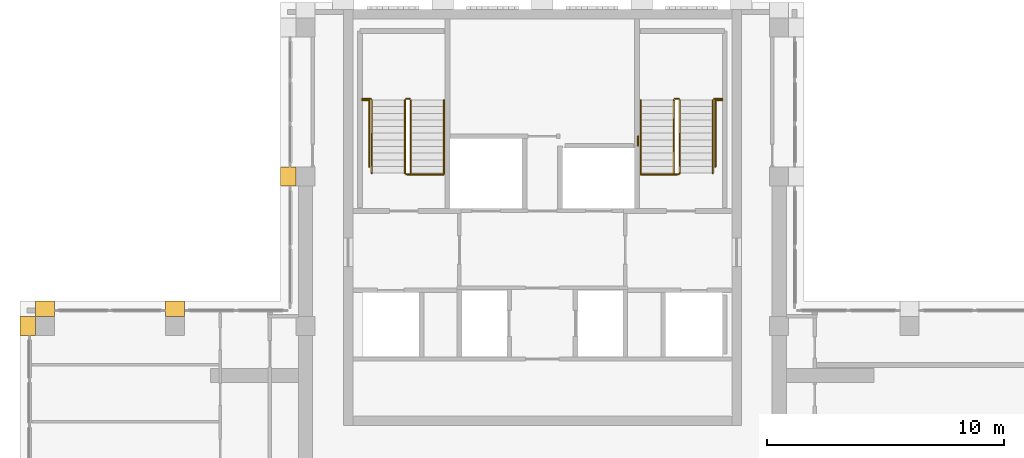
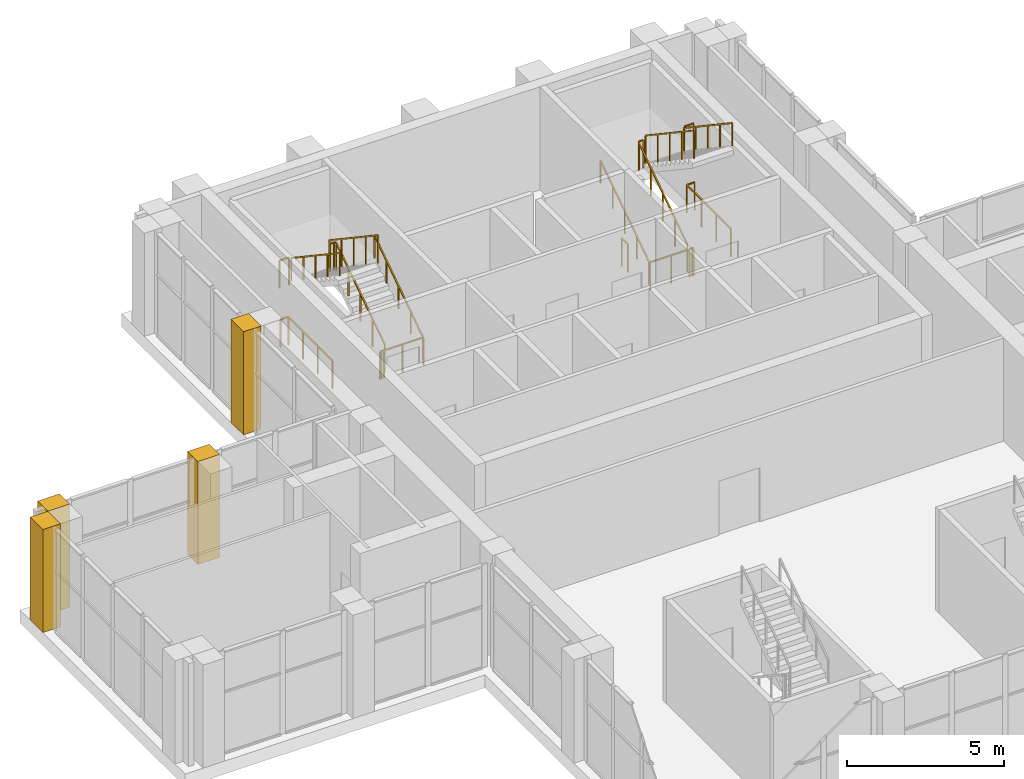
# One storey, part 14 of 15: 17 railings, 4 coverings.
"""IFC4 building model written with IfcOpenShell, lengths in metres."""

from ifc_helpers import new_model, si_unit, direction, frame, origin, origin_2d, place, context, subcontext, project, spatial, polyline, rectangle, outline, extrude, material, type_object, element, save


model = new_model("IFC4")

# Units and contexts
model_context = context("Model", 3, precision=1e-05, world=origin(), true_north=direction((0.0, 1.0)))
body_context = subcontext(model_context, "Body", "Model", "MODEL_VIEW")
ifc_project = project(units=[si_unit("LENGTHUNIT", "METRE"), si_unit("AREAUNIT", "SQUARE_METRE"), si_unit("VOLUMEUNIT", "CUBIC_METRE"), si_unit("PLANEANGLEUNIT", "RADIAN"), si_unit("MASSUNIT", "GRAM", prefix="KILO")], contexts=[model_context])

# Site, building, storey
site_placement = place(None, origin())
site = spatial("IfcSite", under=ifc_project, at=site_placement, CompositionType="ELEMENT")
building_placement = place(site_placement, origin())
building = spatial("IfcBuilding", under=site, at=building_placement, Name="Vermilion Ogive Tower", CompositionType="ELEMENT")
storey_placement = place(building_placement, frame((0.0, 0.0, 293.85009765625)))
storey = spatial("IfcBuildingStorey", under=building, at=storey_placement, Name="L76", CompositionType="ELEMENT", Elevation=293.85009765625)

# Railings
ifc_material_1 = material(Name="Steel S355 painted", Category="steel")
railing_type_1 = type_object("IfcRailingType", Name="Stair guard 1100", PredefinedType="GUARDRAIL", material=ifc_material_1)
railing_1_placement = place(storey_placement, frame((-5.550048828125, 14.85009765625, 0.1875)))
element("IfcRailing", 1, at=railing_1_placement, inside=storey, type_object=railing_type_1, Name="L76 ST1 stair guard 1", PredefinedType="GUARDRAIL", context=body_context, shape_type="SweptSolid", body=[
    extrude(rectangle(XDim=0.048095703125, YDim=0.048095703125, at=origin_2d()), frame((0.0, 0.0, 1.076171875), z_axis=(0.0, 0.830893310487, 0.556431762742), x_axis=(-1.0, 0.0, 0.0)), (0.0, 0.0, 1.0), 3.70654296875),
    extrude(rectangle(XDim=0.048095703125, YDim=0.048095703125, at=origin_2d()), frame((0.0, 3.079833984375, 3.138671875), z_axis=(-0.707106781187, 0.707106781187, 0.0), x_axis=(-0.707106781187, -0.707106781187, 0.0)), (0.0, 0.0, 1.0), 0.07080078125),
    extrude(rectangle(XDim=0.048095703125, YDim=0.048095703125, at=origin_2d()), frame((-0.050048828125, 3.1298828125, 3.138671875), z_axis=(-1.0, 0.0, 0.0), x_axis=(0.0, -1.0, 0.0)), (0.0, 0.0, 1.0), 0.14990234375),
    extrude(rectangle(XDim=0.0419921875, YDim=0.0419921875, at=origin_2d()), origin(), (0.0, 0.0, 1.0), 1.052001953125),
    extrude(rectangle(XDim=0.0419921875, YDim=0.0419921875, at=origin_2d()), frame((0.0, 0.77001953125, 0.515625)), (0.0, 0.0, 1.0), 1.052001953125),
    extrude(rectangle(XDim=0.0419921875, YDim=0.0419921875, at=origin_2d()), frame((0.0, 1.5400390625, 1.03125)), (0.0, 0.0, 1.0), 1.052001953125),
    extrude(rectangle(XDim=0.0419921875, YDim=0.0419921875, at=origin_2d()), frame((0.0, 2.309814453125, 1.546875)), (0.0, 0.0, 1.0), 1.052001953125),
    extrude(rectangle(XDim=0.0419921875, YDim=0.0419921875, at=origin_2d()), frame((0.0, 3.079833984375, 2.0625)), (0.0, 0.0, 1.0), 1.052001953125),
    extrude(rectangle(XDim=0.0419921875, YDim=0.0419921875, at=origin_2d()), frame((-0.050048828125, 3.1298828125, 2.0625)), (0.0, 0.0, 1.0), 1.052001953125),
    extrude(rectangle(XDim=0.0419921875, YDim=0.0419921875, at=origin_2d()), frame((-0.199951171875, 3.1298828125, 2.0625)), (0.0, 0.0, 1.0), 1.052001953125),
])
railing_2_placement = place(storey_placement, frame((-5.800048828125, 17.929931640625, 2.4375)))
element("IfcRailing", 2, at=railing_2_placement, inside=storey, type_object=railing_type_1, Name="L76 ST1 stair guard 3", PredefinedType="GUARDRAIL", context=body_context, shape_type="SweptSolid", body=[
    extrude(rectangle(XDim=0.048095703125, YDim=0.048095703125, at=origin_2d()), frame((0.0, 0.0, 1.076171875), z_axis=(0.0, -0.830893310487, 0.556431762742), x_axis=(1.0, 0.0, 0.0)), (0.0, 0.0, 1.0), 3.70654296875),
    extrude(rectangle(XDim=0.0419921875, YDim=0.0419921875, at=origin_2d()), origin(), (0.0, 0.0, 1.0), 1.052001953125),
    extrude(rectangle(XDim=0.0419921875, YDim=0.0419921875, at=origin_2d()), frame((0.0, -0.77001953125, 0.515625)), (0.0, 0.0, 1.0), 1.052001953125),
    extrude(rectangle(XDim=0.0419921875, YDim=0.0419921875, at=origin_2d()), frame((0.0, -1.5400390625, 1.03125)), (0.0, 0.0, 1.0), 1.052001953125),
    extrude(rectangle(XDim=0.0419921875, YDim=0.0419921875, at=origin_2d()), frame((0.0, -2.309814453125, 1.546875)), (0.0, 0.0, 1.0), 1.052001953125),
    extrude(rectangle(XDim=0.0419921875, YDim=0.0419921875, at=origin_2d()), frame((0.0, -3.079833984375, 2.0625)), (0.0, 0.0, 1.0), 1.052001953125),
])
railing_3_placement = place(storey_placement, frame((-5.60009765625, 14.800048828125, 0.0)))
element("IfcRailing", 3, at=railing_3_placement, inside=storey, type_object=railing_type_1, Name="L76 ST1 stair guard 4", PredefinedType="GUARDRAIL", context=body_context, shape_type="SweptSolid", body=[
    extrude(rectangle(XDim=0.048095703125, YDim=0.048095703125, at=origin_2d()), frame((0.0, 0.0, 1.076171875), z_axis=(-1.0, 0.0, 0.0), x_axis=(0.0, -1.0, 0.0)), (0.0, 0.0, 1.0), 0.14990234375),
    extrude(rectangle(XDim=0.0419921875, YDim=0.0419921875, at=origin_2d()), origin(), (0.0, 0.0, 1.0), 1.052001953125),
    extrude(rectangle(XDim=0.0419921875, YDim=0.0419921875, at=origin_2d()), frame((-0.14990234375, 0.0, 0.0)), (0.0, 0.0, 1.0), 1.052001953125),
])
railing_4_placement = place(storey_placement, frame((5.550048828125, 14.85009765625, 0.1875)))
element("IfcRailing", 4, at=railing_4_placement, inside=storey, type_object=railing_type_1, Name="L76 ST2 stair guard 1", PredefinedType="GUARDRAIL", context=body_context, shape_type="SweptSolid", body=[
    extrude(rectangle(XDim=0.048095703125, YDim=0.048095703125, at=origin_2d()), frame((0.0, 0.0, 1.076171875), z_axis=(0.0, 0.830893310487, 0.556431762742), x_axis=(-1.0, 0.0, 0.0)), (0.0, 0.0, 1.0), 3.70654296875),
    extrude(rectangle(XDim=0.048095703125, YDim=0.048095703125, at=origin_2d()), frame((0.0, 3.079833984375, 3.138671875), z_axis=(0.707106781187, 0.707106781187, 0.0), x_axis=(-0.707106781187, 0.707106781187, 0.0)), (0.0, 0.0, 1.0), 0.07080078125),
    extrude(rectangle(XDim=0.048095703125, YDim=0.048095703125, at=origin_2d()), frame((0.050048828125, 3.1298828125, 3.138671875), z_axis=(1.0, 0.0, 0.0), x_axis=(0.0, 1.0, 0.0)), (0.0, 0.0, 1.0), 0.14990234375),
    extrude(rectangle(XDim=0.0419921875, YDim=0.0419921875, at=origin_2d()), origin(), (0.0, 0.0, 1.0), 1.052001953125),
    extrude(rectangle(XDim=0.0419921875, YDim=0.0419921875, at=origin_2d()), frame((0.0, 0.77001953125, 0.515625)), (0.0, 0.0, 1.0), 1.052001953125),
    extrude(rectangle(XDim=0.0419921875, YDim=0.0419921875, at=origin_2d()), frame((0.0, 1.5400390625, 1.03125)), (0.0, 0.0, 1.0), 1.052001953125),
    extrude(rectangle(XDim=0.0419921875, YDim=0.0419921875, at=origin_2d()), frame((0.0, 2.309814453125, 1.546875)), (0.0, 0.0, 1.0), 1.052001953125),
    extrude(rectangle(XDim=0.0419921875, YDim=0.0419921875, at=origin_2d()), frame((0.0, 3.079833984375, 2.0625)), (0.0, 0.0, 1.0), 1.052001953125),
    extrude(rectangle(XDim=0.0419921875, YDim=0.0419921875, at=origin_2d()), frame((0.050048828125, 3.1298828125, 2.0625)), (0.0, 0.0, 1.0), 1.052001953125),
    extrude(rectangle(XDim=0.0419921875, YDim=0.0419921875, at=origin_2d()), frame((0.199951171875, 3.1298828125, 2.0625)), (0.0, 0.0, 1.0), 1.052001953125),
])
railing_5_placement = place(storey_placement, frame((5.800048828125, 17.929931640625, 2.4375)))
element("IfcRailing", 5, at=railing_5_placement, inside=storey, type_object=railing_type_1, Name="L76 ST2 stair guard 3", PredefinedType="GUARDRAIL", context=body_context, shape_type="SweptSolid", body=[
    extrude(rectangle(XDim=0.048095703125, YDim=0.048095703125, at=origin_2d()), frame((0.0, 0.0, 1.076171875), z_axis=(0.0, -0.830893310487, 0.556431762742), x_axis=(1.0, 0.0, 0.0)), (0.0, 0.0, 1.0), 3.70654296875),
    extrude(rectangle(XDim=0.0419921875, YDim=0.0419921875, at=origin_2d()), origin(), (0.0, 0.0, 1.0), 1.052001953125),
    extrude(rectangle(XDim=0.0419921875, YDim=0.0419921875, at=origin_2d()), frame((0.0, -0.77001953125, 0.515625)), (0.0, 0.0, 1.0), 1.052001953125),
    extrude(rectangle(XDim=0.0419921875, YDim=0.0419921875, at=origin_2d()), frame((0.0, -1.5400390625, 1.03125)), (0.0, 0.0, 1.0), 1.052001953125),
    extrude(rectangle(XDim=0.0419921875, YDim=0.0419921875, at=origin_2d()), frame((0.0, -2.309814453125, 1.546875)), (0.0, 0.0, 1.0), 1.052001953125),
    extrude(rectangle(XDim=0.0419921875, YDim=0.0419921875, at=origin_2d()), frame((0.0, -3.079833984375, 2.0625)), (0.0, 0.0, 1.0), 1.052001953125),
])
railing_6_placement = place(storey_placement, frame((5.60009765625, 14.800048828125, 0.0)))
element("IfcRailing", 6, at=railing_6_placement, inside=storey, type_object=railing_type_1, Name="L76 ST2 stair guard 4", PredefinedType="GUARDRAIL", context=body_context, shape_type="SweptSolid", body=[
    extrude(rectangle(XDim=0.048095703125, YDim=0.048095703125, at=origin_2d()), frame((0.0, 0.0, 1.076171875), z_axis=(1.0, 0.0, 0.0), x_axis=(0.0, 1.0, 0.0)), (0.0, 0.0, 1.0), 0.14990234375),
    extrude(rectangle(XDim=0.0419921875, YDim=0.0419921875, at=origin_2d()), origin(), (0.0, 0.0, 1.0), 1.052001953125),
    extrude(rectangle(XDim=0.0419921875, YDim=0.0419921875, at=origin_2d()), frame((0.14990234375, 0.0, 0.0)), (0.0, 0.0, 1.0), 1.052001953125),
])
for number, where, name in (
    (7, (-7.60009765625, 17.97998046875, 2.25), "L76 landing guard"),
    (8, (7.25, 17.97998046875, 2.25), "L76 landing guard"),
):
    element("IfcRailing", number, at=place(storey_placement, frame(where)), inside=storey, type_object=railing_type_1, Name=name, PredefinedType="GUARDRAIL", context=body_context, shape_type="SweptSolid", body=[
        extrude(rectangle(XDim=0.048095703125, YDim=0.048095703125, at=origin_2d()), frame((0.0, 0.0, 1.076171875), z_axis=(1.0, 0.0, 0.0), x_axis=(0.0, 1.0, 0.0)), (0.0, 0.0, 1.0), 0.35009765625),
        extrude(rectangle(XDim=0.0419921875, YDim=0.0419921875, at=origin_2d()), origin(), (0.0, 0.0, 1.0), 1.052001953125),
        extrude(rectangle(XDim=0.0419921875, YDim=0.0419921875, at=origin_2d()), frame((0.35009765625, 0.0, 0.0)), (0.0, 0.0, 1.0), 1.052001953125),
    ])
railing_7_placement = place(storey_placement, frame((-4.159912109375, 14.7900390625, 0.0)))
element("IfcRailing", 9, at=railing_7_placement, inside=storey, type_object=railing_type_1, Name="L76 stair opening guard", PredefinedType="GUARDRAIL", context=body_context, shape_type="SweptSolid", body=[
    extrude(rectangle(XDim=0.048095703125, YDim=0.048095703125, at=origin_2d()), frame((0.0, 0.0, 1.076171875), z_axis=(-1.0, 0.0, 0.0), x_axis=(0.0, -1.0, 0.0)), (0.0, 0.0, 1.0), 1.5400390625),
    extrude(rectangle(XDim=0.0419921875, YDim=0.0419921875, at=origin_2d()), origin(), (0.0, 0.0, 1.0), 1.052001953125),
    extrude(rectangle(XDim=0.0419921875, YDim=0.0419921875, at=origin_2d()), frame((-0.77001953125, 0.0, 0.0)), (0.0, 0.0, 1.0), 1.052001953125),
    extrude(rectangle(XDim=0.0419921875, YDim=0.0419921875, at=origin_2d()), frame((-1.5400390625, 0.0, 0.0)), (0.0, 0.0, 1.0), 1.052001953125),
])
railing_8_placement = place(storey_placement, frame((-7.309814453125, 15.119384765625, 0.0)))
element("IfcRailing", 10, at=railing_8_placement, inside=storey, type_object=railing_type_1, Name="L76 stair opening guard", PredefinedType="GUARDRAIL", context=body_context, shape_type="SweptSolid", body=[
    extrude(rectangle(XDim=0.048095703125, YDim=0.048095703125, at=origin_2d()), frame((0.0, 0.0, 1.076171875), z_axis=(0.0, 1.0, 0.0), x_axis=(-1.0, 0.0, 0.0)), (0.0, 0.0, 1.0), 2.804443359375),
    extrude(rectangle(XDim=0.048095703125, YDim=0.048095703125, at=origin_2d()), frame((0.0, 2.804443359375, 1.076171875), z_axis=(-1.0, 0.0, 0.0), x_axis=(0.0, -1.0, 0.0)), (0.0, 0.0, 1.0), 0.289794921875),
    extrude(rectangle(XDim=0.0419921875, YDim=0.0419921875, at=origin_2d()), origin(), (0.0, 0.0, 1.0), 1.052001953125),
    extrude(rectangle(XDim=0.0419921875, YDim=0.0419921875, at=origin_2d()), frame((0.0, 0.934814453125, 0.0)), (0.0, 0.0, 1.0), 1.052001953125),
    extrude(rectangle(XDim=0.0419921875, YDim=0.0419921875, at=origin_2d()), frame((0.0, 1.86962890625, 0.0)), (0.0, 0.0, 1.0), 1.052001953125),
    extrude(rectangle(XDim=0.0419921875, YDim=0.0419921875, at=origin_2d()), frame((0.0, 2.804443359375, 0.0)), (0.0, 0.0, 1.0), 1.052001953125),
    extrude(rectangle(XDim=0.0419921875, YDim=0.0419921875, at=origin_2d()), frame((-0.289794921875, 2.804443359375, 0.0)), (0.0, 0.0, 1.0), 1.052001953125),
])
railing_9_placement = place(storey_placement, frame((4.0400390625, 16.0, 0.0)))
element("IfcRailing", 11, at=railing_9_placement, inside=storey, type_object=railing_type_1, Name="L76 stair opening guard", PredefinedType="GUARDRAIL", context=body_context, shape_type="SweptSolid", body=[
    extrude(rectangle(XDim=0.048095703125, YDim=0.048095703125, at=origin_2d()), frame((0.0, 0.0, 1.076171875), z_axis=(0.0, 1.0, 0.0), x_axis=(-1.0, 0.0, 0.0)), (0.0, 0.0, 1.0), 0.39990234375),
    extrude(rectangle(XDim=0.0419921875, YDim=0.0419921875, at=origin_2d()), origin(), (0.0, 0.0, 1.0), 1.052001953125),
    extrude(rectangle(XDim=0.0419921875, YDim=0.0419921875, at=origin_2d()), frame((0.0, 0.39990234375, 0.0)), (0.0, 0.0, 1.0), 1.052001953125),
])
railing_10_placement = place(storey_placement, frame((7.599609375, 17.923828125, 0.0)))
element("IfcRailing", 12, at=railing_10_placement, inside=storey, type_object=railing_type_1, Name="L76 stair opening guard", PredefinedType="GUARDRAIL", context=body_context, shape_type="SweptSolid", body=[
    extrude(rectangle(XDim=0.048095703125, YDim=0.048095703125, at=origin_2d()), frame((0.0, 0.0, 1.076171875), z_axis=(-1.0, 0.0, 0.0), x_axis=(0.0, -1.0, 0.0)), (0.0, 0.0, 1.0), 0.289794921875),
    extrude(rectangle(XDim=0.048095703125, YDim=0.048095703125, at=origin_2d()), frame((-0.289794921875, 0.0, 1.076171875), z_axis=(0.0, -1.0, 0.0), x_axis=(1.0, 0.0, 0.0)), (0.0, 0.0, 1.0), 2.804443359375),
    extrude(rectangle(XDim=0.0419921875, YDim=0.0419921875, at=origin_2d()), origin(), (0.0, 0.0, 1.0), 1.052001953125),
    extrude(rectangle(XDim=0.0419921875, YDim=0.0419921875, at=origin_2d()), frame((-0.289794921875, 0.0, 0.0)), (0.0, 0.0, 1.0), 1.052001953125),
    extrude(rectangle(XDim=0.0419921875, YDim=0.0419921875, at=origin_2d()), frame((-0.289794921875, -0.934814453125, 0.0)), (0.0, 0.0, 1.0), 1.052001953125),
    extrude(rectangle(XDim=0.0419921875, YDim=0.0419921875, at=origin_2d()), frame((-0.289794921875, -1.86962890625, 0.0)), (0.0, 0.0, 1.0), 1.052001953125),
    extrude(rectangle(XDim=0.0419921875, YDim=0.0419921875, at=origin_2d()), frame((-0.289794921875, -2.804443359375, 0.0)), (0.0, 0.0, 1.0), 1.052001953125),
])
railing_11_placement = place(storey_placement, frame((5.699951171875, 14.7900390625, 0.0)))
element("IfcRailing", 13, at=railing_11_placement, inside=storey, type_object=railing_type_1, Name="L76 stair opening guard", PredefinedType="GUARDRAIL", context=body_context, shape_type="SweptSolid", body=[
    extrude(rectangle(XDim=0.048095703125, YDim=0.048095703125, at=origin_2d()), frame((0.0, 0.0, 1.076171875), z_axis=(-1.0, 0.0, 0.0), x_axis=(0.0, -1.0, 0.0)), (0.0, 0.0, 1.0), 1.5400390625),
    extrude(rectangle(XDim=0.0419921875, YDim=0.0419921875, at=origin_2d()), origin(), (0.0, 0.0, 1.0), 1.052001953125),
    extrude(rectangle(XDim=0.0419921875, YDim=0.0419921875, at=origin_2d()), frame((-0.77001953125, 0.0, 0.0)), (0.0, 0.0, 1.0), 1.052001953125),
    extrude(rectangle(XDim=0.0419921875, YDim=0.0419921875, at=origin_2d()), frame((-1.5400390625, 0.0, 0.0)), (0.0, 0.0, 1.0), 1.052001953125),
])
ifc_material_2 = material(Name="Stainless steel", Category="steel")
railing_type_2 = type_object("IfcRailingType", Name="Stair handrail 900", PredefinedType="HANDRAIL", material=ifc_material_2)
railing_12_placement = place(storey_placement, frame((-4.14990234375, 14.85009765625, 0.1875)))
element("IfcRailing", 14, at=railing_12_placement, inside=storey, type_object=railing_type_2, Name="L76 ST1 stair handrail 1", PredefinedType="HANDRAIL", context=body_context, shape_type="SweptSolid", body=[
    extrude(rectangle(XDim=0.048095703125, YDim=0.048095703125, at=origin_2d()), frame((0.0, 0.0, 0.8759765625), z_axis=(0.0, 0.830893310487, 0.556431762742), x_axis=(-1.0, 0.0, 0.0)), (0.0, 0.0, 1.0), 3.70654296875),
    extrude(rectangle(XDim=0.0419921875, YDim=0.0419921875, at=origin_2d()), origin(), (0.0, 0.0, 1.0), 0.851806640625),
    extrude(rectangle(XDim=0.0419921875, YDim=0.0419921875, at=origin_2d()), frame((0.0, 0.77001953125, 0.515625)), (0.0, 0.0, 1.0), 0.851806640625),
    extrude(rectangle(XDim=0.0419921875, YDim=0.0419921875, at=origin_2d()), frame((0.0, 1.5400390625, 1.03125)), (0.0, 0.0, 1.0), 0.851806640625),
    extrude(rectangle(XDim=0.0419921875, YDim=0.0419921875, at=origin_2d()), frame((0.0, 2.309814453125, 1.546875)), (0.0, 0.0, 1.0), 0.851806640625),
    extrude(rectangle(XDim=0.0419921875, YDim=0.0419921875, at=origin_2d()), frame((0.0, 3.079833984375, 2.0625)), (0.0, 0.0, 1.0), 0.851806640625),
])
railing_13_placement = place(storey_placement, frame((-7.199951171875, 17.929931640625, 2.4375)))
element("IfcRailing", 15, at=railing_13_placement, inside=storey, type_object=railing_type_2, Name="L76 ST1 stair handrail 2", PredefinedType="HANDRAIL", context=body_context, shape_type="SweptSolid", body=[
    extrude(rectangle(XDim=0.048095703125, YDim=0.048095703125, at=origin_2d()), frame((0.0, 0.0, 0.8759765625), z_axis=(0.0, -0.830893310487, 0.556431762742), x_axis=(1.0, 0.0, 0.0)), (0.0, 0.0, 1.0), 3.70654296875),
    extrude(rectangle(XDim=0.0419921875, YDim=0.0419921875, at=origin_2d()), origin(), (0.0, 0.0, 1.0), 0.851806640625),
    extrude(rectangle(XDim=0.0419921875, YDim=0.0419921875, at=origin_2d()), frame((0.0, -0.77001953125, 0.515625)), (0.0, 0.0, 1.0), 0.851806640625),
    extrude(rectangle(XDim=0.0419921875, YDim=0.0419921875, at=origin_2d()), frame((0.0, -1.5400390625, 1.03125)), (0.0, 0.0, 1.0), 0.851806640625),
    extrude(rectangle(XDim=0.0419921875, YDim=0.0419921875, at=origin_2d()), frame((0.0, -2.309814453125, 1.546875)), (0.0, 0.0, 1.0), 0.851806640625),
    extrude(rectangle(XDim=0.0419921875, YDim=0.0419921875, at=origin_2d()), frame((0.0, -3.079833984375, 2.0625)), (0.0, 0.0, 1.0), 0.851806640625),
])
railing_14_placement = place(storey_placement, frame((4.14990234375, 14.85009765625, 0.1875)))
element("IfcRailing", 16, at=railing_14_placement, inside=storey, type_object=railing_type_2, Name="L76 ST2 stair handrail 1", PredefinedType="HANDRAIL", context=body_context, shape_type="SweptSolid", body=[
    extrude(rectangle(XDim=0.048095703125, YDim=0.048095703125, at=origin_2d()), frame((0.0, 0.0, 0.8759765625), z_axis=(0.0, 0.830893310487, 0.556431762742), x_axis=(-1.0, 0.0, 0.0)), (0.0, 0.0, 1.0), 3.70654296875),
    extrude(rectangle(XDim=0.0419921875, YDim=0.0419921875, at=origin_2d()), origin(), (0.0, 0.0, 1.0), 0.851806640625),
    extrude(rectangle(XDim=0.0419921875, YDim=0.0419921875, at=origin_2d()), frame((0.0, 0.77001953125, 0.515625)), (0.0, 0.0, 1.0), 0.851806640625),
    extrude(rectangle(XDim=0.0419921875, YDim=0.0419921875, at=origin_2d()), frame((0.0, 1.5400390625, 1.03125)), (0.0, 0.0, 1.0), 0.851806640625),
    extrude(rectangle(XDim=0.0419921875, YDim=0.0419921875, at=origin_2d()), frame((0.0, 2.309814453125, 1.546875)), (0.0, 0.0, 1.0), 0.851806640625),
    extrude(rectangle(XDim=0.0419921875, YDim=0.0419921875, at=origin_2d()), frame((0.0, 3.079833984375, 2.0625)), (0.0, 0.0, 1.0), 0.851806640625),
])
railing_15_placement = place(storey_placement, frame((7.199951171875, 17.929931640625, 2.4375)))
element("IfcRailing", 17, at=railing_15_placement, inside=storey, type_object=railing_type_2, Name="L76 ST2 stair handrail 2", PredefinedType="HANDRAIL", context=body_context, shape_type="SweptSolid", body=[
    extrude(rectangle(XDim=0.048095703125, YDim=0.048095703125, at=origin_2d()), frame((0.0, 0.0, 0.8759765625), z_axis=(0.0, -0.830893310487, 0.556431762742), x_axis=(1.0, 0.0, 0.0)), (0.0, 0.0, 1.0), 3.70654296875),
    extrude(rectangle(XDim=0.0419921875, YDim=0.0419921875, at=origin_2d()), origin(), (0.0, 0.0, 1.0), 0.851806640625),
    extrude(rectangle(XDim=0.0419921875, YDim=0.0419921875, at=origin_2d()), frame((0.0, -0.77001953125, 0.515625)), (0.0, 0.0, 1.0), 0.851806640625),
    extrude(rectangle(XDim=0.0419921875, YDim=0.0419921875, at=origin_2d()), frame((0.0, -1.5400390625, 1.03125)), (0.0, 0.0, 1.0), 0.851806640625),
    extrude(rectangle(XDim=0.0419921875, YDim=0.0419921875, at=origin_2d()), frame((0.0, -2.309814453125, 1.546875)), (0.0, 0.0, 1.0), 0.851806640625),
    extrude(rectangle(XDim=0.0419921875, YDim=0.0419921875, at=origin_2d()), frame((0.0, -3.079833984375, 2.0625)), (0.0, 0.0, 1.0), 0.851806640625),
])

# Coverings
ifc_material_3 = material(Name="Stone cladding", Category="masonry")
covering_type = type_object("IfcCoveringType", Name="Stone pier", PredefinedType="CLADDING", material=ifc_material_3)
covering_1_placement = place(storey_placement, origin())
element("IfcCovering", 18, at=covering_1_placement, inside=storey, type_object=covering_type, Name="Stone pier P-0100+147", PredefinedType="CLADDING", context=body_context, shape_type="SweptSolid", body=[
    extrude(outline(polyline([(-11.050048828125, 14.300048828125), (-11.050048828125, 15.10009765625), (-10.39990234375, 15.10009765625), (-10.39990234375, 14.300048828125), (-11.050048828125, 14.300048828125)])), origin(), (0.0, 0.0, 1.0), 4.0),
])
covering_2_placement = place(storey_placement, origin())
element("IfcCovering", 19, at=covering_2_placement, inside=storey, type_object=covering_type, Name="Stone pier P-0155+084", PredefinedType="CLADDING", context=body_context, shape_type="SweptSolid", body=[
    extrude(outline(polyline([(-15.89990234375, 9.449951171875), (-15.10009765625, 9.449951171875), (-15.10009765625, 8.800048828125), (-15.89990234375, 8.800048828125), (-15.89990234375, 9.449951171875)])), origin(), (0.0, 0.0, 1.0), 4.0),
])
covering_3_placement = place(storey_placement, origin())
element("IfcCovering", 20, at=covering_3_placement, inside=storey, type_object=covering_type, Name="Stone pier P-0210+084X6", PredefinedType="CLADDING", context=body_context, shape_type="SweptSolid", body=[
    extrude(outline(polyline([(-21.39990234375, 9.449951171875), (-20.60009765625, 9.449951171875), (-20.60009765625, 8.800048828125), (-21.39990234375, 8.800048828125), (-21.39990234375, 9.449951171875)])), origin(), (0.0, 0.0, 1.0), 4.0),
])
covering_4_placement = place(storey_placement, origin())
element("IfcCovering", 21, at=covering_4_placement, inside=storey, type_object=covering_type, Name="Stone pier P-0210+084W", PredefinedType="CLADDING", context=body_context, shape_type="SweptSolid", body=[
    extrude(outline(polyline([(-22.050048828125, 8.800048828125), (-21.39990234375, 8.800048828125), (-21.39990234375, 8.0), (-22.050048828125, 8.0), (-22.050048828125, 8.800048828125)])), origin(), (0.0, 0.0, 1.0), 4.0),
])

save(model, "model.ifc")
